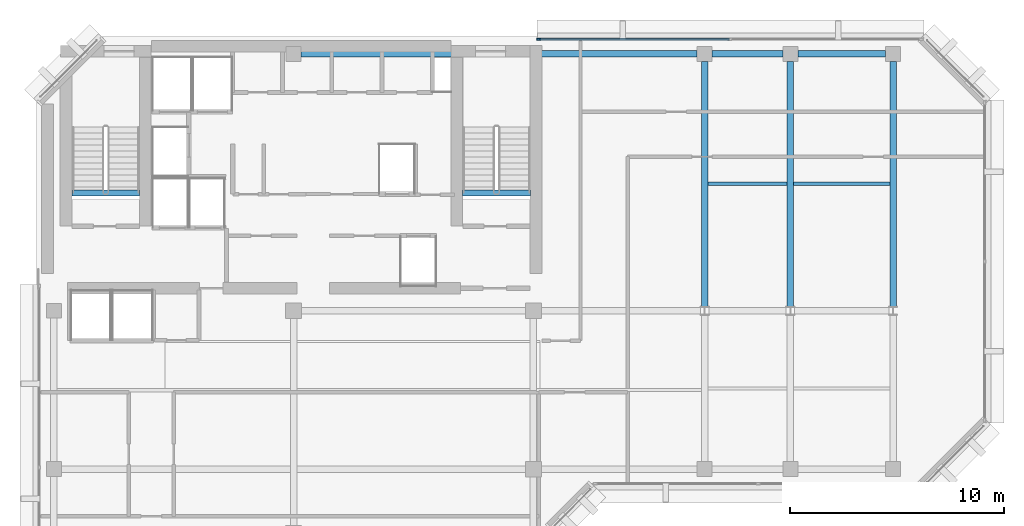
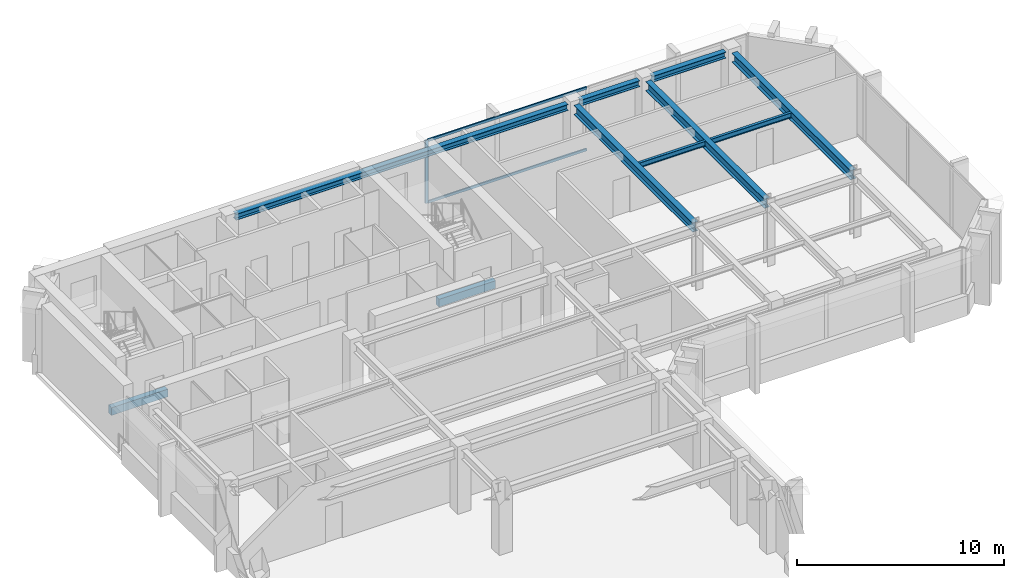
# One storey, part 4 of 11: 10 beams, 3 members, 1 element without a shape of its own.
"""IFC4 building model written with IfcOpenShell, lengths in metres."""

from ifc_helpers import new_model, si_unit, direction, frame, origin, origin_2d, place, context, subcontext, project, spatial, rectangle, i_section, extrude, material, layer, layer_set, material_profile, profile_set, type_object, element, aggregate, save


model = new_model("IFC4")

# Units and contexts
model_context = context("Model", 3, precision=1e-05, world=origin(), true_north=direction((0.0, 1.0)))
body_context = subcontext(model_context, "Body", "Model", "MODEL_VIEW")
ifc_project = project(units=[si_unit("LENGTHUNIT", "METRE"), si_unit("AREAUNIT", "SQUARE_METRE"), si_unit("VOLUMEUNIT", "CUBIC_METRE"), si_unit("PLANEANGLEUNIT", "RADIAN"), si_unit("MASSUNIT", "GRAM", prefix="KILO")], contexts=[model_context])

# Site, building, storey
site_placement = place(None, origin())
site = spatial("IfcSite", under=ifc_project, at=site_placement, CompositionType="ELEMENT")
building_placement = place(site_placement, origin())
building = spatial("IfcBuilding", under=site, at=building_placement, Name="Kefirva Bronze Tower", CompositionType="ELEMENT")
storey_placement = place(building_placement, frame((0.0, 0.0, 343.530029296875)))
storey = spatial("IfcBuildingStorey", under=building, at=storey_placement, Name="L84", CompositionType="ELEMENT", Elevation=343.530029296875)

# Curtain wall, members
ifc_material_1 = material(Name="Bronze anodised aluminium", Category="aluminium")
ifc_layer = layer(ifc_material_1, 0.179931640625, Name="Bronze anodised aluminium")
ifc_layer_set = layer_set([ifc_layer], Name="Bronze anodised aluminium")
curtain_wall_type = type_object("IfcCurtainWallType", Name="Unitised Bronze Ribbon Curtain Wall Zone 4", PredefinedType="USERDEFINED", material=ifc_layer_set)
curtain_wall_placement = place(storey_placement, origin())
curtain_wall = element("IfcCurtainWall", 1, at=curtain_wall_placement, inside=storey, type_object=curtain_wall_type, Name="L84 Curtain Wall 4", ObjectType="UNITISED CURTAIN WALL", PredefinedType="USERDEFINED")
ifc_material_profile_1 = material_profile(ifc_material_1, rectangle(XDim=0.074951171875, YDim=0.179931640625, at=origin_2d()), Name="ALU 75x180")
ifc_profile_set_1 = profile_set([ifc_material_profile_1], Name="Bronze anodised aluminium")
member_type_1 = type_object("IfcMemberType", Name="Bronze Mullion 75x180", PredefinedType="MULLION", material=ifc_profile_set_1)
member_1_placement = place(storey_placement, frame((23.4423828125, 45.8798828125, 0.0), z_axis=(0.0, 0.0, 1.0), x_axis=(0.0, -1.0, 0.0)))
member_1 = element("IfcMember", 2, at=member_1_placement, type_object=member_type_1, Name="CW-04 mullion 3", PredefinedType="MULLION", context=body_context, shape_type="SweptSolid", body=[
    extrude(rectangle(XDim=0.074951171875, YDim=0.179931640625, at=origin_2d()), origin(), (0.0, 0.0, 1.0), 3.7099609375),
])
ifc_material_profile_2 = material_profile(ifc_material_1, rectangle(XDim=0.074951171875, YDim=0.14990234375, at=origin_2d()), Name="ALU 75x150")
ifc_profile_set_2 = profile_set([ifc_material_profile_2], Name="Bronze anodised aluminium")
member_type_2 = type_object("IfcMemberType", Name="Bronze Transom 75x150", PredefinedType="USERDEFINED", material=ifc_profile_set_2)
member_2_placement = place(storey_placement, frame((32.33740234375, 45.8798828125, 0.037353515625), z_axis=(-1.0, 0.0, 0.0), x_axis=(0.0, -1.0, 0.0)))
member_2 = element("IfcMember", 3, at=member_2_placement, type_object=member_type_2, Name="CW-04 transom 2.1", ObjectType="TRANSOM", PredefinedType="USERDEFINED", context=body_context, shape_type="SweptSolid", body=[
    extrude(rectangle(XDim=0.074951171875, YDim=0.14990234375, at=origin_2d()), origin(), (0.0, 0.0, 1.0), 8.857421875),
])
member_3_placement = place(storey_placement, frame((32.33740234375, 45.8798828125, 3.67236328125), z_axis=(-1.0, 0.0, 0.0), x_axis=(0.0, -1.0, 0.0)))
member_3 = element("IfcMember", 4, at=member_3_placement, type_object=member_type_2, Name="CW-04 transom 2.2", ObjectType="TRANSOM", PredefinedType="USERDEFINED", context=body_context, shape_type="SweptSolid", body=[
    extrude(rectangle(XDim=0.074951171875, YDim=0.14990234375, at=origin_2d()), origin(), (0.0, 0.0, 1.0), 8.857421875),
])
aggregate(curtain_wall, [member_1, member_2, member_3])

# Beams
ifc_material_2 = material(Name="Concrete C50/60", Category="concrete")
ifc_material_profile_3 = material_profile(ifc_material_2, rectangle(XDim=0.300048828125, YDim=0.449951171875, at=origin_2d()), Name="RC 300x450")
ifc_profile_set_3 = profile_set([ifc_material_profile_3], Name="Concrete C50/60")
beam_type_1 = type_object("IfcBeamType", Name="RC Stair Trimmer Beam 300x450", PredefinedType="BEAM", material=ifc_profile_set_3)
beam_1_placement = place(storey_placement, frame((1.64501953125, 38.699951171875, -0.22509765625), z_axis=(1.0, 0.0, 0.0), x_axis=(0.0, 1.0, 0.0)))
element("IfcBeam", 5, at=beam_1_placement, inside=storey, type_object=beam_type_1, Name="L84 Stair 1 Landing Trimmer Beam", PredefinedType="BEAM", context=body_context, shape_type="SweptSolid", body=[
    extrude(rectangle(XDim=0.300048828125, YDim=0.449951171875, at=origin_2d()), origin(), (0.0, 0.0, 1.0), 3.14990234375),
])
beam_2_placement = place(storey_placement, frame((19.89501953125, 38.699951171875, -0.22509765625), z_axis=(1.0, 0.0, 0.0), x_axis=(0.0, 1.0, 0.0)))
element("IfcBeam", 6, at=beam_2_placement, inside=storey, type_object=beam_type_1, Name="L84 Stair 2 Landing Trimmer Beam", PredefinedType="BEAM", context=body_context, shape_type="SweptSolid", body=[
    extrude(rectangle(XDim=0.300048828125, YDim=0.449951171875, at=origin_2d()), origin(), (0.0, 0.0, 1.0), 3.159912109375),
])
ifc_material_3 = material(Name="Steel S355", Category="steel")
ifc_material_profile_4 = material_profile(ifc_material_3, i_section(OverallWidth=0.14990234375, OverallDepth=0.300048828125, WebThickness=0.007080078125, FlangeThickness=0.0107421875, at=origin_2d()), Name="IPE 300")
ifc_profile_set_4 = profile_set([ifc_material_profile_4], Name="Steel S355")
beam_type_2 = type_object("IfcBeamType", Name="Steel Floor Joist IPE 300", PredefinedType="JOIST", material=ifc_profile_set_4)
beam_3_placement = place(storey_placement, frame((31.35009765625, 39.12890625, 3.56005859375), z_axis=(1.0, 0.0, 0.0), x_axis=(0.0, 1.0, 0.0)))
element("IfcBeam", 7, at=beam_3_placement, inside=storey, type_object=beam_type_2, Name="L84 JST-L84-31-391", PredefinedType="JOIST", context=body_context, shape_type="SweptSolid", body=[
    extrude(i_section(OverallWidth=0.14990234375, OverallDepth=0.300048828125, WebThickness=0.007080078125, FlangeThickness=0.0107421875, at=origin_2d()), origin(), (0.0, 0.0, 1.0), 3.699951171875),
])
beam_4_placement = place(storey_placement, frame((35.35009765625, 39.12890625, 3.56005859375), z_axis=(1.0, 0.0, 0.0), x_axis=(0.0, 1.0, 0.0)))
element("IfcBeam", 8, at=beam_4_placement, inside=storey, type_object=beam_type_2, Name="L84 JST-L84-35-391", PredefinedType="JOIST", context=body_context, shape_type="SweptSolid", body=[
    extrude(i_section(OverallWidth=0.14990234375, OverallDepth=0.300048828125, WebThickness=0.007080078125, FlangeThickness=0.0107421875, at=origin_2d()), origin(), (0.0, 0.0, 1.0), 4.5),
])
ifc_material_profile_5 = material_profile(ifc_material_3, i_section(OverallWidth=0.300048828125, OverallDepth=0.550048828125, WebThickness=0.014892578125, FlangeThickness=0.029052734375, at=origin_2d()), Name="HEB 550")
ifc_profile_set_5 = profile_set([ifc_material_profile_5], Name="Steel S355")
beam_type_3 = type_object("IfcBeamType", Name="Steel Girder HEB 550", PredefinedType="USERDEFINED", material=ifc_profile_set_5)
for number, where, z_axis, x_axis, name in (
    (9, (31.199951171875, 33.407958984375, 3.43505859375), (0.0, 1.0, 0.0), (-1.0, 0.0, 0.0), "L84 BM-L84-NS-312-33"),
    (10, (35.199951171875, 33.407958984375, 3.43505859375), (0.0, 1.0, 0.0), (-1.0, 0.0, 0.0), "L84 BM-L84-NS-352-33"),
    (11, (40.0, 33.407958984375, 3.43505859375), (0.0, 1.0, 0.0), (-1.0, 0.0, 0.0), "L84 BM-L84-NS-400-33"),
):
    element("IfcBeam", number, at=place(storey_placement, frame(where, z_axis=z_axis, x_axis=x_axis)), inside=storey, type_object=beam_type_3, Name=name, ObjectType="GIRDER", PredefinedType="USERDEFINED", context=body_context, shape_type="SweptSolid", body=[
        extrude(i_section(OverallWidth=0.300048828125, OverallDepth=0.550048828125, WebThickness=0.014892578125, FlangeThickness=0.029052734375, at=origin_2d()), origin(), (0.0, 0.0, 1.0), 11.442138671875),
    ])
ifc_material_profile_6 = material_profile(ifc_material_3, i_section(OverallWidth=0.300048828125, OverallDepth=0.360107421875, WebThickness=0.012451171875, FlangeThickness=0.0224609375, at=origin_2d()), Name="HEB 360")
ifc_profile_set_6 = profile_set([ifc_material_profile_6], Name="Steel S355")
beam_type_4 = type_object("IfcBeamType", Name="Steel Spandrel HEB 360 Ext", PredefinedType="SPANDREL", material=ifc_profile_set_6)
beam_5_placement = place(storey_placement, frame((12.35009765625, 45.199951171875, 3.530029296875), z_axis=(1.0, 0.0, 0.0), x_axis=(0.0, 1.0, 0.0)))
element("IfcBeam", 12, at=beam_5_placement, inside=storey, type_object=beam_type_4, Name="L84 BM-L84-EW-12-452", PredefinedType="SPANDREL", context=body_context, shape_type="SweptSolid", body=[
    extrude(i_section(OverallWidth=0.300048828125, OverallDepth=0.360107421875, WebThickness=0.012451171875, FlangeThickness=0.0224609375, at=origin_2d()), origin(), (0.0, 0.0, 1.0), 18.5),
])
beam_6_placement = place(storey_placement, frame((31.550048828125, 45.199951171875, 3.530029296875), z_axis=(1.0, 0.0, 0.0), x_axis=(0.0, 1.0, 0.0)))
element("IfcBeam", 13, at=beam_6_placement, inside=storey, type_object=beam_type_4, Name="L84 BM-L84-EW-31-452", PredefinedType="SPANDREL", context=body_context, shape_type="SweptSolid", body=[
    extrude(i_section(OverallWidth=0.300048828125, OverallDepth=0.360107421875, WebThickness=0.012451171875, FlangeThickness=0.0224609375, at=origin_2d()), origin(), (0.0, 0.0, 1.0), 3.300048828125),
])
beam_7_placement = place(storey_placement, frame((35.550048828125, 45.199951171875, 3.530029296875), z_axis=(1.0, 0.0, 0.0), x_axis=(0.0, 1.0, 0.0)))
element("IfcBeam", 14, at=beam_7_placement, inside=storey, type_object=beam_type_4, Name="L84 BM-L84-EW-35-452", PredefinedType="SPANDREL", context=body_context, shape_type="SweptSolid", body=[
    extrude(i_section(OverallWidth=0.300048828125, OverallDepth=0.360107421875, WebThickness=0.012451171875, FlangeThickness=0.0224609375, at=origin_2d()), origin(), (0.0, 0.0, 1.0), 4.099853515625),
])

save(model, "model.ifc")
